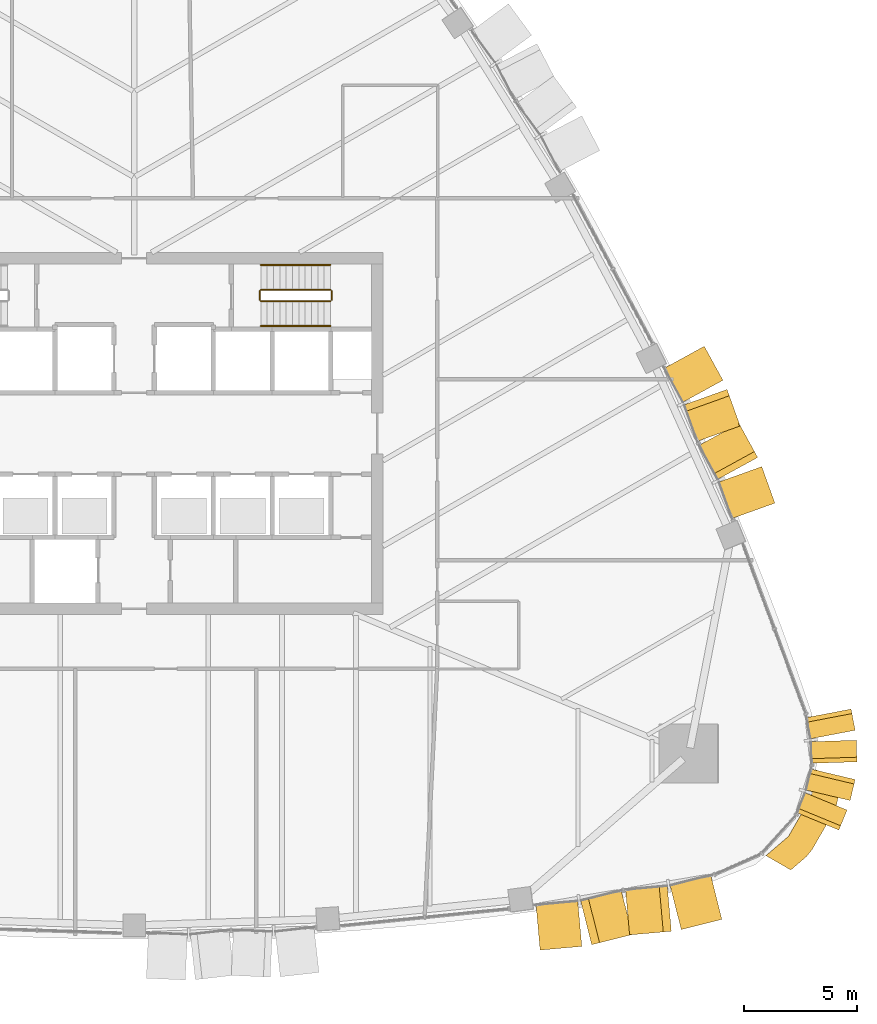
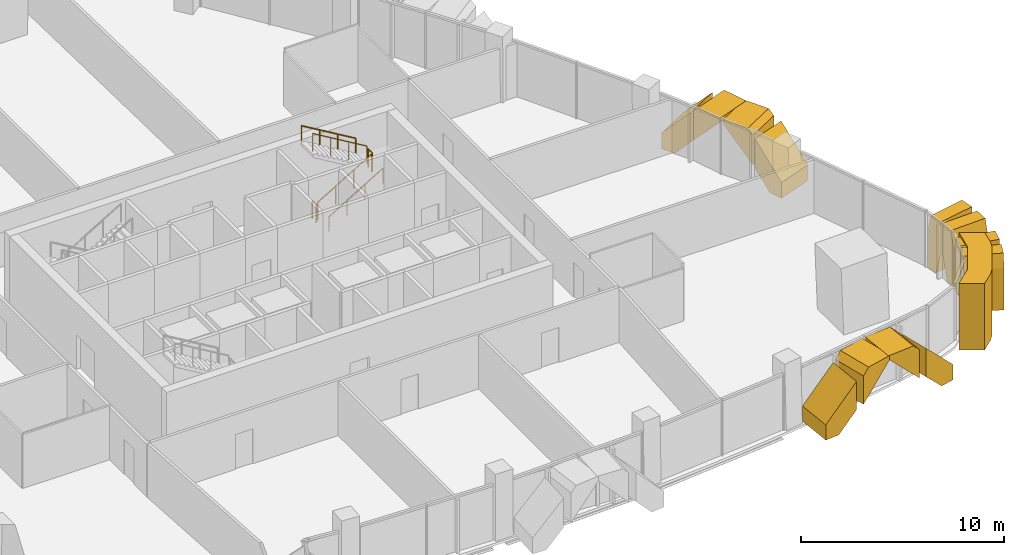
# One storey, part 15 of 17: 13 coverings, 6 railings.
"""IFC4 building model written with IfcOpenShell, lengths in metres."""

from ifc_helpers import new_model, si_unit, direction, frame, origin, origin_2d, place, context, subcontext, project, spatial, polyline, circle, outline, extrude, material, layer, layer_set, type_object, element, save


model = new_model("IFC4")

# Units and contexts
model_context = context("Model", 3, precision=1e-05, world=origin(), true_north=direction((0.0, 1.0)))
body_context = subcontext(model_context, "Body", "Model", "MODEL_VIEW")
ifc_project = project(units=[si_unit("LENGTHUNIT", "METRE"), si_unit("AREAUNIT", "SQUARE_METRE"), si_unit("VOLUMEUNIT", "CUBIC_METRE"), si_unit("PLANEANGLEUNIT", "RADIAN"), si_unit("MASSUNIT", "GRAM", prefix="KILO")], contexts=[model_context])

# Site, building, storey
site_placement = place(None, origin())
site = spatial("IfcSite", under=ifc_project, at=site_placement, CompositionType="ELEMENT")
building_placement = place(site_placement, origin())
building = spatial("IfcBuilding", under=site, at=building_placement, Name="Sierra Prisma Convention Tower", CompositionType="ELEMENT")
storey_placement = place(building_placement, frame((0.0, 0.0, 145.800048828125)))
storey = spatial("IfcBuildingStorey", under=building, at=storey_placement, Name="L31", CompositionType="ELEMENT", Elevation=145.800048828125)

# Coverings
ifc_material_1 = material(Name="Aluminium composite bronze anodised", Category="aluminium")
ifc_layer_1 = layer(ifc_material_1, 1.199951171875)
ifc_layer_set_1 = layer_set([ifc_layer_1], Name="Bronze corner pier")
covering_type_1 = type_object("IfcCoveringType", Name="Bronze corner pier", PredefinedType="CLADDING", material=ifc_layer_set_1)
covering_1_placement = place(storey_placement, frame((0.0, 0.0, -0.60009765625)))
element("IfcCovering", 1, at=covering_1_placement, inside=storey, type_object=covering_type_1, Name="Corner pier SE L31.1", PredefinedType="CLADDING", context=body_context, shape_type="SweptSolid", body=[
    extrude(outline(polyline([(31.07177734375, -16.368408203125), (30.931640625, -16.74755859375), (29.969482421875, -18.413818359375), (29.71142578125, -18.724609375), (29.035888671875, -19.30419921875), (27.93408203125, -18.668212890625), (28.930419921875, -17.813720703125), (29.892333984375, -16.1474609375), (30.134033203125, -14.857666015625), (31.23583984375, -15.49365234375), (31.07177734375, -16.368408203125)])), origin(), (0.0, 0.0, 1.0), 4.0),
])
ifc_material_2 = material(Name="Aluminium 6063-T6 bronze anodised", Category="aluminium")
ifc_layer_2 = layer(ifc_material_2, 2.0)
ifc_layer_set_2 = layer_set([ifc_layer_2], Name="Bronze crystal chevron frame")
covering_type_2 = type_object("IfcCoveringType", Name="Bronze crystal chevron frame", PredefinedType="CLADDING", material=ifc_layer_set_2)
covering_2_placement = place(storey_placement, frame((17.948486328125, -22.845703125, 0.0), z_axis=(0.089050485306, -0.99602711362, 8.15132e-07), x_axis=(0.99602711362, 0.089050485306, -2e-12)))
element("IfcCovering", 2, at=covering_2_placement, inside=storey, type_object=covering_type_2, Name="CW-2 chevron frame S6.1.1", PredefinedType="CLADDING", context=body_context, shape_type="SweptSolid", body=[
    extrude(outline(polyline([(0.0, 0.0), (0.784120892399615, 6.617444900424222e-24), (1.8533103354834075, 1.081054687504474), (1.853310335479619, 2.787353515628907), (-2.0288678562856703e-12, 0.9138183593746965), (0.0, 0.0)])), origin(), (0.0, 0.0, -1.0), 2.0),
])
covering_3_placement = place(storey_placement, frame((20.231689453125, -22.6064453125, 2.9189453125), z_axis=(0.243859630827, -0.969810537324, 4.6357045e-05), x_axis=(1.1304612e-05, -4.4957551e-05, -0.999999998926)))
element("IfcCovering", 3, at=covering_3_placement, inside=storey, type_object=covering_type_2, Name="CW-2 chevron frame S6.1.2", PredefinedType="CLADDING", context=body_context, shape_type="SweptSolid", body=[
    extrude(outline(polyline([(0.0, 0.0), (1.7065429669163403, 0.0), (-0.16723632872126729, 1.8530662964002769), (-0.3610839847629803, 1.8530662964002769), (-0.36108398884687354, 0.3569944413333281), (0.0, 0.0)])), origin(), (0.0, 0.0, -1.0), 2.0),
])
covering_4_placement = place(storey_placement, frame((21.906494140625, -22.17529296875, 3.280029296875), z_axis=(0.089182037134, -0.996015341677, -5.8272877e-05), x_axis=(-5.196894e-06, 5.8040679e-05, -0.999999998302)))
element("IfcCovering", 4, at=covering_4_placement, inside=storey, type_object=covering_type_2, Name="CW-2 chevron frame S6.2.1", PredefinedType="CLADDING", context=body_context, shape_type="SweptSolid", body=[
    extrude(outline(polyline([(0.0, 0.0), (0.19384765592087302, -1.64195351591776e-22), (2.0676269508405936, 1.8530889245870759), (0.36108398498807154, 1.8530889245870759), (-6.4532099452394845e-09, 1.4959411701504537), (0.0, 0.0)])), origin(), (0.0, 0.0, -1.0), 2.0),
])
covering_5_placement = place(storey_placement, frame((25.98681640625, -21.484130859375, 0.0), z_axis=(0.243839789776, -0.969815527253, 4.514767e-06), x_axis=(-1.10088e-06, 4.378491e-06, 0.99999999999)))
element("IfcCovering", 5, at=covering_5_placement, inside=storey, type_object=covering_type_2, Name="CW-2 chevron frame S6.2.2", PredefinedType="CLADDING", context=body_context, shape_type="SweptSolid", body=[
    extrude(outline(polyline([(0.0, 0.0), (0.9138183593656868, 0.0), (2.7873535156186278, 1.853303067038965), (1.0810546875110176, 1.853303067038965), (-5.340615844648365e-11, 0.7839189715073573), (0.0, 0.0)])), origin(), (0.0, 0.0, -1.0), 2.0),
])
covering_6_placement = place(storey_placement, frame((31.1591796875, -17.535888671875, 0.0), z_axis=(0.924632702304, -0.380860034178, -1.400559e-05), x_axis=(0.380860034215, 0.924632702395, -3.989e-09)))
element("IfcCovering", 6, at=covering_6_placement, inside=storey, type_object=covering_type_2, Name="CW-2 chevron frame SE3.1.1", PredefinedType="CLADDING", context=body_context, shape_type="SweptSolid", body=[
    extrude(outline(polyline([(0.0, 0.0), (0.5612845837962118, 4.235164736271502e-22), (0.9550483182917193, 1.4577636759931378), (0.9550483110224505, 3.2800293008144132), (0.20406604400327516, 3.2800292960966995), (-1.006634014851006e-08, 2.523437499752506), (0.0, 0.0)])), origin(), (0.0, 0.0, -1.0), 2.0),
])
covering_7_placement = place(storey_placement, frame((31.658935546875, -16.230712890625, 3.280029296875), z_axis=(0.972826262371, -0.231536308871, 3.0247386e-05), x_axis=(2.9425451e-05, -7.003368e-06, -0.999999999543)))
element("IfcCovering", 7, at=covering_7_placement, inside=storey, type_object=covering_type_2, Name="CW-2 chevron frame SE3.1.2", PredefinedType="CLADDING", context=body_context, shape_type="SweptSolid", body=[
    extrude(outline(polyline([(0.0, 0.0), (1.8222656241664006, -1.5435190230239496e-21), (3.280029299484477, 0.3937888149209757), (3.2800292965073594, 0.9551632451690305), (0.7565917976617113, 0.9551632451690305), (-7.704911034793225e-10, 0.7508667066255537), (0.0, 0.0)])), origin(), (0.0, 0.0, -1.0), 2.0),
])
covering_8_placement = place(storey_placement, frame((31.959228515625, -14.51953125, 0.0), z_axis=(0.999479346361, 0.032265072488, -3.5974157e-05), x_axis=(-0.03226507251, 0.999479347008, -1.2254e-08)))
element("IfcCovering", 8, at=covering_8_placement, inside=storey, type_object=covering_type_2, Name="CW-2 chevron frame SE4.1.1", PredefinedType="CLADDING", context=body_context, shape_type="SweptSolid", body=[
    extrude(outline(polyline([(0.0, 0.0), (0.5615778562524624, 1.0587911840678754e-22), (0.9550853449140911, 1.457763684585673), (0.955085322583577, 3.2800293084065397), (0.2042079410206679, 3.280029297146614), (-3.092285557887471e-08, 2.523437498367159), (0.0, 0.0)])), origin(), (0.0, 0.0, -1.0), 2.0),
])
covering_9_placement = place(storey_placement, frame((31.87939453125, -13.1240234375, 3.280029296875), z_axis=(0.982147141842, 0.188114304707, -1.1647749e-05), x_axis=(-1.1439804e-05, -2.191108e-06, -0.999999999932)))
element("IfcCovering", 9, at=covering_9_placement, inside=storey, type_object=covering_type_2, Name="CW-2 chevron frame SE4.1.2", PredefinedType="CLADDING", context=body_context, shape_type="SweptSolid", body=[
    extrude(outline(polyline([(0.0, 0.0), (1.8222656248763867, 0.0), (3.2800292988927198, 0.39353654157143064), (3.280029297008352, 0.9550442987030515), (0.7565917971795293, 0.9550442987030515), (1.5867638739174158e-09, 0.7507330446771457), (0.0, 0.0)])), origin(), (0.0, 0.0, -1.0), 2.0),
])
covering_10_placement = place(storey_placement, frame((28.331298828125, -3.081787109375, 0.0), z_axis=(0.941284278905, 0.337615026406, -1.5200389e-05), x_axis=(-0.337615026445, 0.941284279014, -8.33e-10)))
element("IfcCovering", 10, at=covering_10_placement, inside=storey, type_object=covering_type_2, Name="CW-2 chevron frame NE2.1.1", PredefinedType="CLADDING", context=body_context, shape_type="SweptSolid", body=[
    extrude(outline(polyline([(0.0, 0.0), (0.7555587908696886, -8.470329472543003e-22), (1.7167623808627421, 1.0437011734248147), (1.716762379387945, 2.8151855482201626), (-7.916669372377053e-10, 0.9509277342651433), (0.0, 0.0)])), origin(), (0.0, 0.0, -1.0), 2.0),
])
covering_11_placement = place(storey_placement, frame((27.56982421875, -1.0615234375, 2.956298828125), z_axis=(0.876897568455, 0.480677285243, 4.3469508e-05), x_axis=(3.8118306e-05, 2.0894805e-05, -0.999999999055)))
element("IfcCovering", 11, at=covering_11_placement, inside=storey, type_object=covering_type_2, Name="CW-2 chevron frame NE2.1.2", PredefinedType="CLADDING", context=body_context, shape_type="SweptSolid", body=[
    extrude(outline(polyline([(0.0, 0.0), (1.7714843733263033, 0.0), (-0.09277343802406825, 1.7167088959611096), (-0.3237304690558603, 1.7167088959611096), (-0.3237304728396698, 0.2979584877532405), (0.0, 0.0)])), origin(), (0.0, 0.0, -1.0), 2.0),
])
covering_12_placement = place(storey_placement, frame((26.795654296875, 0.33056640625, 3.280029296875), z_axis=(0.941270105422, 0.337654539953, 1.6979741e-05), x_axis=(1.5982523e-05, 5.733287e-06, -0.999999999856)))
element("IfcCovering", 12, at=covering_12_placement, inside=storey, type_object=covering_type_2, Name="CW-2 chevron frame NE2.2.1", PredefinedType="CLADDING", context=body_context, shape_type="SweptSolid", body=[
    extrude(outline(polyline([(0.0, 0.0), (0.23095703121670622, 0.0), (2.0952148435412976, 1.7165325772811566), (0.3237304687966676, 1.7165325772811566), (-5.773270931381158e-10, 1.4185264684514993), (0.0, 0.0)])), origin(), (0.0, 0.0, -1.0), 2.0),
])
covering_13_placement = place(storey_placement, frame((25.208740234375, 3.85595703125, 0.0), z_axis=(0.876860125124, 0.480745588604, 2.182649e-06), x_axis=(-1.913877e-06, -1.049299e-06, 0.999999999998)))
element("IfcCovering", 13, at=covering_13_placement, inside=storey, type_object=covering_type_2, Name="CW-2 chevron frame NE2.2.2", PredefinedType="CLADDING", context=body_context, shape_type="SweptSolid", body=[
    extrude(outline(polyline([(0.0, 0.0), (0.9509277343727349, 0.0), (2.8151855468732663, 1.7164948146703296), (1.0437011718774862, 1.7164948146703296), (-1.2969448081522526e-11, 0.7556513221282998), (0.0, 0.0)])), origin(), (0.0, 0.0, -1.0), 2.0),
])

# Railings
ifc_material_3 = material(Name="Stainless steel", Category="steel")
railing_type_1 = type_object("IfcRailingType", Name="Exit stair handrail", PredefinedType="HANDRAIL", material=ifc_material_3)
railing_1_placement = place(storey_placement, frame((5.60009765625, 4.75, 0.16650390625)))
element("IfcRailing", 14, at=railing_1_placement, inside=storey, type_object=railing_type_1, Name="L31 S4 stair handrail 1", PredefinedType="HANDRAIL", context=body_context, shape_type="SweptSolid", body=[
    extrude(circle(Radius=0.02392578125, at=origin_2d()), frame((0.0, 0.0, 0.8759765625), z_axis=(0.859260807169, 0.0, 0.511537745687), x_axis=(0.0, 1.0, 0.0)), (0.0, 0.0, 1.0), 3.584228515625),
    extrude(circle(Radius=0.02099609375, at=origin_2d()), origin(), (0.0, 0.0, 1.0), 0.851806640625),
    extrude(circle(Radius=0.02099609375, at=origin_2d()), frame((1.026611328125, 0.0, 0.611083984375)), (0.0, 0.0, 1.0), 0.851806640625),
    extrude(circle(Radius=0.02099609375, at=origin_2d()), frame((2.05322265625, 0.0, 1.222412109375)), (0.0, 0.0, 1.0), 0.851806640625),
    extrude(circle(Radius=0.02099609375, at=origin_2d()), frame((3.079833984375, 0.0, 1.83349609375)), (0.0, 0.0, 1.0), 0.851806640625),
])
railing_2_placement = place(storey_placement, frame((8.679931640625, 7.449951171875, 2.16650390625)))
element("IfcRailing", 15, at=railing_2_placement, inside=storey, type_object=railing_type_1, Name="L31 S4 stair handrail 2", PredefinedType="HANDRAIL", context=body_context, shape_type="SweptSolid", body=[
    extrude(circle(Radius=0.02392578125, at=origin_2d()), frame((0.0, 0.0, 0.8759765625), z_axis=(-0.859260807169, 0.0, 0.511537745687), x_axis=(0.0, -1.0, 0.0)), (0.0, 0.0, 1.0), 3.584228515625),
    extrude(circle(Radius=0.02099609375, at=origin_2d()), origin(), (0.0, 0.0, 1.0), 0.851806640625),
    extrude(circle(Radius=0.02099609375, at=origin_2d()), frame((-1.026611328125, 0.0, 0.611083984375)), (0.0, 0.0, 1.0), 0.851806640625),
    extrude(circle(Radius=0.02099609375, at=origin_2d()), frame((-2.05322265625, 0.0, 1.222412109375)), (0.0, 0.0, 1.0), 0.851806640625),
    extrude(circle(Radius=0.02099609375, at=origin_2d()), frame((-3.079833984375, 0.0, 1.83349609375)), (0.0, 0.0, 1.0), 0.851806640625),
])
ifc_material_4 = material(Name="Stainless steel", Category="steel")
railing_type_2 = type_object("IfcRailingType", Name="Stair guard 1100", PredefinedType="GUARDRAIL", material=ifc_material_4)
railing_3_placement = place(storey_placement, frame((5.60009765625, 5.85009765625, 0.16650390625)))
element("IfcRailing", 16, at=railing_3_placement, inside=storey, type_object=railing_type_2, Name="L31 S4 stair guard 1", PredefinedType="GUARDRAIL", context=body_context, shape_type="SweptSolid", body=[
    extrude(circle(Radius=0.02392578125, at=origin_2d()), frame((0.0, 0.0, 1.076171875), z_axis=(0.859260807169, 0.0, 0.511537745687), x_axis=(0.0, 1.0, 0.0)), (0.0, 0.0, 1.0), 3.584228515625),
    extrude(circle(Radius=0.02099609375, at=origin_2d()), origin(), (0.0, 0.0, 1.0), 1.052001953125),
    extrude(circle(Radius=0.02099609375, at=origin_2d()), frame((1.026611328125, 0.0, 0.611083984375)), (0.0, 0.0, 1.0), 1.052001953125),
    extrude(circle(Radius=0.02099609375, at=origin_2d()), frame((2.05322265625, 0.0, 1.222412109375)), (0.0, 0.0, 1.0), 1.052001953125),
    extrude(circle(Radius=0.02099609375, at=origin_2d()), frame((3.079833984375, 0.0, 1.83349609375)), (0.0, 0.0, 1.0), 1.052001953125),
])
railing_4_placement = place(storey_placement, frame((8.72998046875, 5.89990234375, 2.0)))
element("IfcRailing", 17, at=railing_4_placement, inside=storey, type_object=railing_type_2, Name="L31 S4 stair guard 2", PredefinedType="GUARDRAIL", context=body_context, shape_type="SweptSolid", body=[
    extrude(circle(Radius=0.02392578125, at=origin_2d()), frame((0.0, 0.0, 1.076171875), z_axis=(0.0, 1.0, 0.0), x_axis=(-1.0, 0.0, 0.0)), (0.0, 0.0, 1.0), 0.400146484375),
    extrude(circle(Radius=0.02099609375, at=origin_2d()), origin(), (0.0, 0.0, 1.0), 1.052001953125),
    extrude(circle(Radius=0.02099609375, at=origin_2d()), frame((0.0, 0.400146484375, 0.0)), (0.0, 0.0, 1.0), 1.052001953125),
])
railing_5_placement = place(storey_placement, frame((8.679931640625, 6.35009765625, 2.16650390625)))
element("IfcRailing", 18, at=railing_5_placement, inside=storey, type_object=railing_type_2, Name="L31 S4 stair guard 3", PredefinedType="GUARDRAIL", context=body_context, shape_type="SweptSolid", body=[
    extrude(circle(Radius=0.02392578125, at=origin_2d()), frame((0.0, 0.0, 1.076171875), z_axis=(-0.859260807169, 0.0, 0.511537745687), x_axis=(0.0, -1.0, 0.0)), (0.0, 0.0, 1.0), 3.584228515625),
    extrude(circle(Radius=0.02099609375, at=origin_2d()), origin(), (0.0, 0.0, 1.0), 1.052001953125),
    extrude(circle(Radius=0.02099609375, at=origin_2d()), frame((-1.026611328125, 0.0, 0.611083984375)), (0.0, 0.0, 1.0), 1.052001953125),
    extrude(circle(Radius=0.02099609375, at=origin_2d()), frame((-2.05322265625, 0.0, 1.222412109375)), (0.0, 0.0, 1.0), 1.052001953125),
    extrude(circle(Radius=0.02099609375, at=origin_2d()), frame((-3.079833984375, 0.0, 1.83349609375)), (0.0, 0.0, 1.0), 1.052001953125),
])
railing_6_placement = place(storey_placement, frame((5.550048828125, 5.89990234375, 0.0)))
element("IfcRailing", 19, at=railing_6_placement, inside=storey, type_object=railing_type_2, Name="L31 S4 stair guard 4", PredefinedType="GUARDRAIL", context=body_context, shape_type="SweptSolid", body=[
    extrude(circle(Radius=0.02392578125, at=origin_2d()), frame((0.0, 0.0, 1.076171875), z_axis=(0.0, 1.0, 0.0), x_axis=(-1.0, 0.0, 0.0)), (0.0, 0.0, 1.0), 0.400146484375),
    extrude(circle(Radius=0.02099609375, at=origin_2d()), origin(), (0.0, 0.0, 1.0), 1.052001953125),
    extrude(circle(Radius=0.02099609375, at=origin_2d()), frame((0.0, 0.400146484375, 0.0)), (0.0, 0.0, 1.0), 1.052001953125),
])

save(model, "model.ifc")
